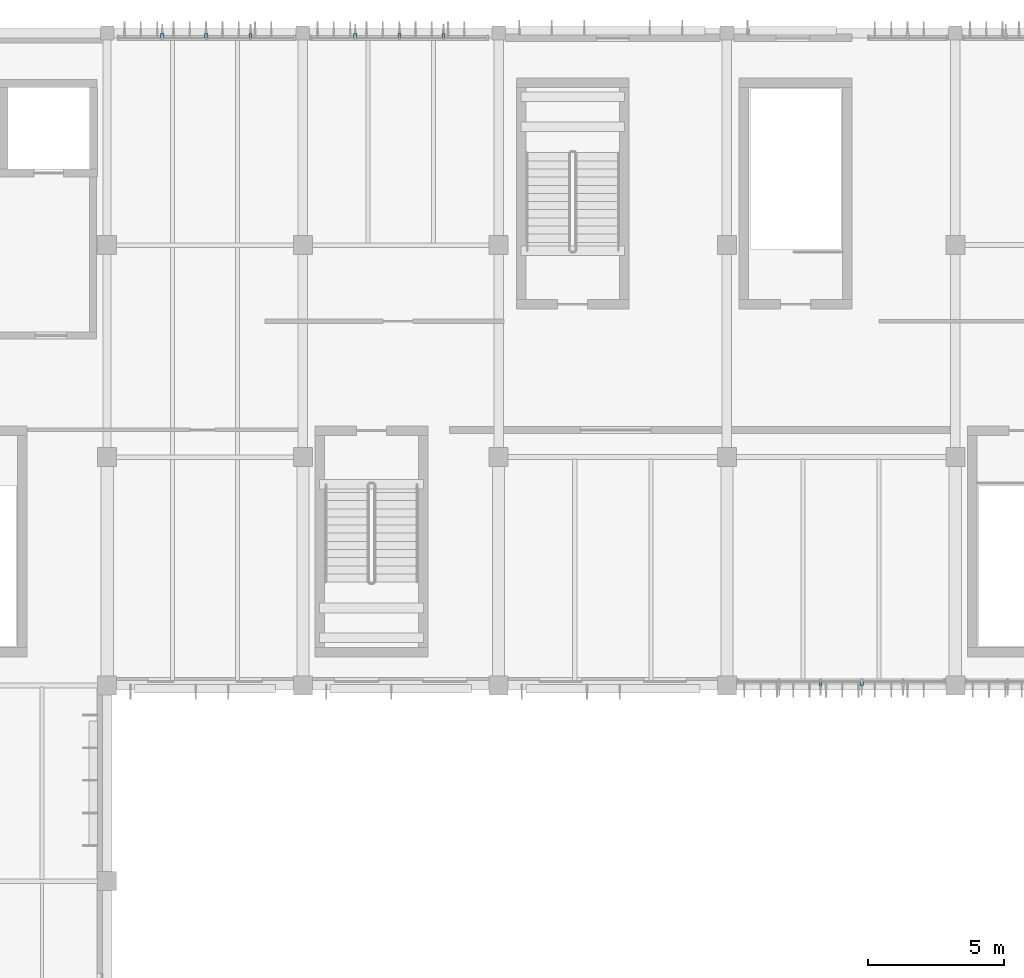
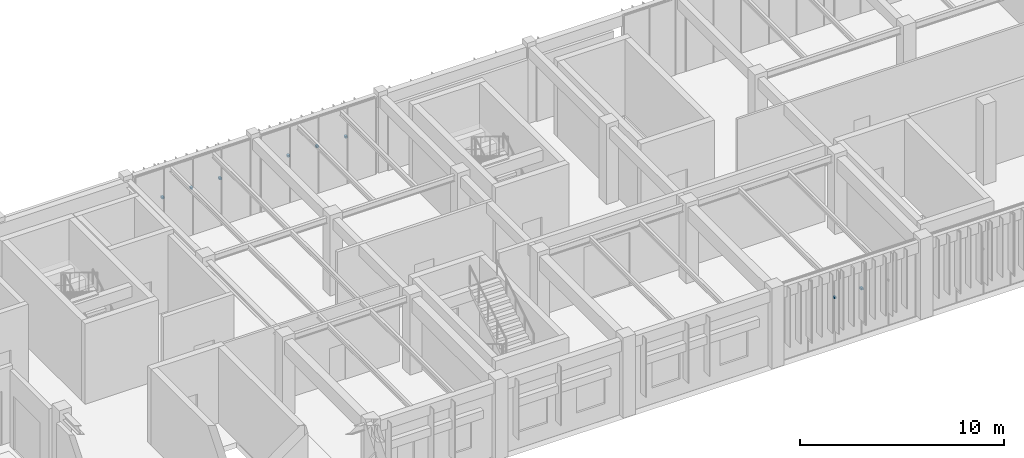
# One storey, part 50 of 122: 8 discrete accessories.
"""IFC4 building model written with IfcOpenShell, lengths in metres."""

import ifcopenshell
import ifcopenshell.guid

model = None  # the IFC model being written
_history = None  # IfcOwnerHistory: only IFC2X3 demands one
_inside = {}  # id of a spatial element -> (the spatial element, [elements in it])
_under = {}  # id of a project, library or spatial element -> (it, [spatial elements below it])
_declared = {}  # id of a project -> (the project, [libraries it declares])
_typed = {}  # id of a type object -> (the type object, [elements of that type])
_made_of = {}  # id of a material, layer set ... -> (it, [elements and type objects made of it])


def new_model(schema):
    """Start an empty IFC model of exactly this schema.

    Asked for "IFC4X3", IfcOpenShell would pick the latest addendum, in which some entities
    have other attributes; the version numbers below select the first issue.
    IFC2X3 requires an IfcOwnerHistory on every rooted entity: one is made here for all.
    """
    global model, _history
    if schema == "IFC4X3":
        model = ifcopenshell.file(schema_version=(4, 3, 0, 0))
    else:
        model = ifcopenshell.file(schema=schema)
    _inside.clear()
    _under.clear()
    _declared.clear()
    _typed.clear()
    _made_of.clear()
    _history = None
    if model.schema == "IFC2X3":
        org = make("IfcOrganization", Name="unknown")
        user = make(
            "IfcPersonAndOrganization",
            ThePerson=make("IfcPerson", FamilyName="unknown"),
            TheOrganization=org,
        )
        app = make(
            "IfcApplication",
            ApplicationDeveloper=org,
            Version="unknown",
            ApplicationFullName="unknown",
            ApplicationIdentifier="unknown",
        )
        _history = make(
            "IfcOwnerHistory",
            OwningUser=user,
            OwningApplication=app,
            ChangeAction="ADDED",
            CreationDate=0,
        )
    return model


def make(cls, **values):
    """One entity of the class cls with the attributes given. An attribute that is None is left unset."""
    return model.create_entity(
        cls, **{name: value for name, value in values.items() if value is not None}
    )


def rooted(cls, **values):
    """An entity with a GlobalId (a new one), such as an element, a storey or a relation."""
    return make(cls, GlobalId=ifcopenshell.guid.new(), OwnerHistory=_history, **values)


def si_unit(unit_type, name, prefix=None):
    """IfcSIUnit, for example si_unit("LENGTHUNIT", "METRE", prefix="MILLI")."""
    return make("IfcSIUnit", UnitType=unit_type, Prefix=prefix, Name=name)


def assignment(units):
    """IfcUnitAssignment: the units of a project."""
    return None if units is None else make("IfcUnitAssignment", Units=units)


def point(xyz):
    """IfcCartesianPoint."""
    return None if xyz is None else make("IfcCartesianPoint", Coordinates=xyz)


def direction(xyz):
    """IfcDirection."""
    return None if xyz is None else make("IfcDirection", DirectionRatios=xyz)


def frame(location, z_axis=None, x_axis=None):
    """IfcAxis2Placement3D, a coordinate frame: its origin and axes. An axis left out is left unset."""
    return make(
        "IfcAxis2Placement3D",
        Location=point(location),
        Axis=direction(z_axis),
        RefDirection=direction(x_axis),
    )


def frame_2d(location, x_axis=None):
    """IfcAxis2Placement2D, a coordinate frame in the plane: its origin and x axis."""
    return make(
        "IfcAxis2Placement2D", Location=point(location), RefDirection=direction(x_axis)
    )


def origin():
    """The frame at (0, 0, 0) with its axes left unset."""
    return frame((0.0, 0.0, 0.0))


def origin_2d():
    """The frame at (0, 0) in the plane with its x axis left unset."""
    return frame_2d((0.0, 0.0))


def place(relative_to, where):
    """IfcLocalPlacement: puts the frame where relative to a parent placement (None: the world)."""
    return make(
        "IfcLocalPlacement", PlacementRelTo=relative_to, RelativePlacement=where
    )


def context(
    kind, dimensions, precision=None, world=None, true_north=None, identifier=None
):
    """IfcGeometricRepresentationContext, for example the 3D "Model" context."""
    return make(
        "IfcGeometricRepresentationContext",
        ContextIdentifier=identifier,
        ContextType=kind,
        CoordinateSpaceDimension=dimensions,
        Precision=precision,
        WorldCoordinateSystem=world,
        TrueNorth=true_north,
    )


def subcontext(parent, identifier, kind, view, scale=None):
    """IfcGeometricRepresentationSubContext, for example "Body" below "Model"."""
    return make(
        "IfcGeometricRepresentationSubContext",
        ContextIdentifier=identifier,
        ContextType=kind,
        ParentContext=parent,
        TargetScale=scale,
        TargetView=view,
    )


def project(units=None, contexts=None):
    """IfcProject with its units and contexts."""
    return rooted(
        "IfcProject",
        Name="project",
        RepresentationContexts=contexts,
        UnitsInContext=assignment(units),
    )


def spatial(cls, under=None, at=None, **own):
    """A site, building, storey or space (cls), placed at a placement, below another one or the project."""
    s = rooted(cls, ObjectPlacement=at, **own)
    if under is not None:
        _under.setdefault(under.id(), (under, []))[1].append(s)
    return s


def profile(cls, at=None, kind="AREA", **sizes):
    """A parametric profile (cls). Its sizes go by their IFC names, for example OverallWidth=200.0."""
    return make(cls, ProfileType=kind, Position=at, **sizes)


def rectangle(**sizes):
    """IfcRectangleProfileDef."""
    return profile("IfcRectangleProfileDef", **sizes)


def extrude(swept, where, along, depth):
    """IfcExtrudedAreaSolid: the profile swept, set in the frame where, extruded along a direction by depth."""
    return make(
        "IfcExtrudedAreaSolid",
        SweptArea=swept,
        Position=where,
        ExtrudedDirection=direction(along),
        Depth=depth,
    )


def shape(context_of_items, identifier, shape_type, items):
    """IfcShapeRepresentation: the items that make up one representation, for example the "Body"."""
    return make(
        "IfcShapeRepresentation",
        ContextOfItems=context_of_items,
        RepresentationIdentifier=identifier,
        RepresentationType=shape_type,
        Items=items,
    )


def material(Name=None, Category=None):
    """IfcMaterial."""
    return make("IfcMaterial", Name=Name, Category=Category)


def made_of(thing, what):
    """Note that an element or type object is made of a material, layer set ...; save() writes the relation."""
    if what is not None:
        _made_of.setdefault(what.id(), (what, []))[1].append(thing)
    return thing


def type_object(cls, material=None, **own):
    """A type object (cls), such as IfcWallType, which elements share."""
    return made_of(rooted(cls, **own), material)


def element(
    cls,
    number,
    at=None,
    inside=None,
    cuts=None,
    type_object=None,
    material=None,
    context=None,
    identifier="Body",
    shape_type=None,
    held_by="IfcProductDefinitionShape",
    body=None,
    shapes=None,
    **own,
):
    """One element of the class cls, such as IfcWall. Its Tag is "e" and its number.

    at: its placement. inside: the storey or other place that contains it. cuts: it is an
    opening in that element (IfcRelVoidsElement). A single representation is given by context,
    identifier, shape_type and body (its items); several are given by shapes. held_by: the class
    of the entity that holds the representations. save() writes the other relations.
    """
    e = rooted(cls, Tag="e%d" % number, ObjectPlacement=at, **own)
    if body is not None:
        shapes = [shape(context, identifier, shape_type, body)]
    if shapes is not None:
        e.Representation = make(held_by, Representations=shapes)
    if inside is not None:
        _inside.setdefault(inside.id(), (inside, []))[1].append(e)
    if cuts is not None:
        rooted(
            "IfcRelVoidsElement", RelatingBuildingElement=cuts, RelatedOpeningElement=e
        )
    if type_object is not None:
        _typed.setdefault(type_object.id(), (type_object, []))[1].append(e)
    return made_of(e, material)


def aggregate(whole, parts):
    """IfcRelAggregates: a whole, such as a stair, and the parts it consists of."""
    return rooted("IfcRelAggregates", RelatingObject=whole, RelatedObjects=parts)


def save(model, path):
    """Write the relations noted so far, then the file.

    IfcRelAggregates (storeys below a building ...), IfcRelContainedInSpatialStructure (elements
    in a storey), IfcRelDefinesByType, IfcRelAssociatesMaterial and IfcRelDeclares: one each for
    every whole, place, type object, material and project.
    """
    for whole, parts in _under.values():
        aggregate(whole, parts)
    for where, things in _inside.values():
        rooted(
            "IfcRelContainedInSpatialStructure",
            RelatedElements=things,
            RelatingStructure=where,
        )
    for kind, things in _typed.values():
        rooted("IfcRelDefinesByType", RelatedObjects=things, RelatingType=kind)
    for what, things in _made_of.values():
        rooted("IfcRelAssociatesMaterial", RelatedObjects=things, RelatingMaterial=what)
    for by, libraries in _declared.values():
        rooted("IfcRelDeclares", RelatingContext=by, RelatedDefinitions=libraries)
    model.write(path)


model = new_model("IFC4")

# Units and contexts
model_context = context("Model", 3, precision=1e-05, world=origin(), true_north=direction((0.0, 1.0)))
body_context = subcontext(model_context, "Body", "Model", "MODEL_VIEW")
ifc_project = project(units=[si_unit("LENGTHUNIT", "METRE"), si_unit("AREAUNIT", "SQUARE_METRE"), si_unit("VOLUMEUNIT", "CUBIC_METRE"), si_unit("PLANEANGLEUNIT", "RADIAN"), si_unit("MASSUNIT", "GRAM", prefix="KILO")], contexts=[model_context])

# Site, building, storey
site_placement = place(None, origin())
site = spatial("IfcSite", under=ifc_project, at=site_placement, CompositionType="ELEMENT")
building_placement = place(site_placement, origin())
building = spatial("IfcBuilding", under=site, at=building_placement, Name="Tazoul Stagehouse", CompositionType="ELEMENT")
storey_placement = place(building_placement, origin())
storey = spatial("IfcBuildingStorey", under=building, at=storey_placement, Name="L00", CompositionType="ELEMENT", Elevation=0.0)

# Discrete accessories
ifc_material = material(Name="Austenitic Stainless Steel EN 1.4401", Category="steel")
discrete_accessory_type = type_object("IfcDiscreteAccessoryType", Name="Stainless Steel Louvre Support Cleat Bracket", PredefinedType="BRACKET", material=ifc_material)
for number, where, z_axis, x_axis, name in (
    (1, (104.625, 111.699951171875, 2.66064453125), (0.0, 0.0, 1.0), (1.0, 0.0, 0.0), "Cleat Bracket BRK-01 CW-V3-N1-L00-B1-BRK01"),
    (2, (106.25, 111.699951171875, 2.66064453125), (0.0, 0.0, 1.0), (1.0, 0.0, 0.0), "Cleat Bracket BRK-01 CW-V3-N1-L00-B1-BRK02"),
    (3, (107.875, 111.699951171875, 2.66064453125), (0.0, 0.0, 1.0), (1.0, 0.0, 0.0), "Cleat Bracket BRK-01 CW-V3-N1-L00-B1-BRK03"),
    (4, (111.72509765625, 111.699951171875, 2.66064453125), (0.0, 0.0, 1.0), (1.0, 0.0, 0.0), "Cleat Bracket BRK-01 CW-V3-N1-L00-B2-BRK01"),
    (5, (113.35009765625, 111.699951171875, 2.66064453125), (0.0, 0.0, 1.0), (1.0, 0.0, 0.0), "Cleat Bracket BRK-01 CW-V3-N1-L00-B2-BRK02"),
    (6, (114.97509765625, 111.699951171875, 2.66064453125), (0.0, 0.0, 1.0), (1.0, 0.0, 0.0), "Cleat Bracket BRK-01 CW-V3-N1-L00-B2-BRK03"),
    (7, (128.840087890625, 87.8701171875, 2.66064453125), (0.0, 0.0, 1.0), (1.0, 0.0, 0.0), "Cleat Bracket BRK-01 CW-V3-S2-L00-B1-BRK02"),
    (8, (130.360107421875, 87.8701171875, 2.66064453125), (0.0, 0.0, 1.0), (1.0, 0.0, 0.0), "Cleat Bracket BRK-01 CW-V3-S2-L00-B1-BRK03"),
):
    element("IfcDiscreteAccessory", number, at=place(storey_placement, frame(where, z_axis=z_axis, x_axis=x_axis)), inside=storey, type_object=discrete_accessory_type, Name=name, PredefinedType="BRACKET", context=body_context, shape_type="SweptSolid", body=[
        extrude(rectangle(XDim=0.1201171875, YDim=0.159912109375, at=origin_2d()), origin(), (0.0, 0.0, 1.0), 0.1201171875),
    ])

save(model, "model.ifc")
